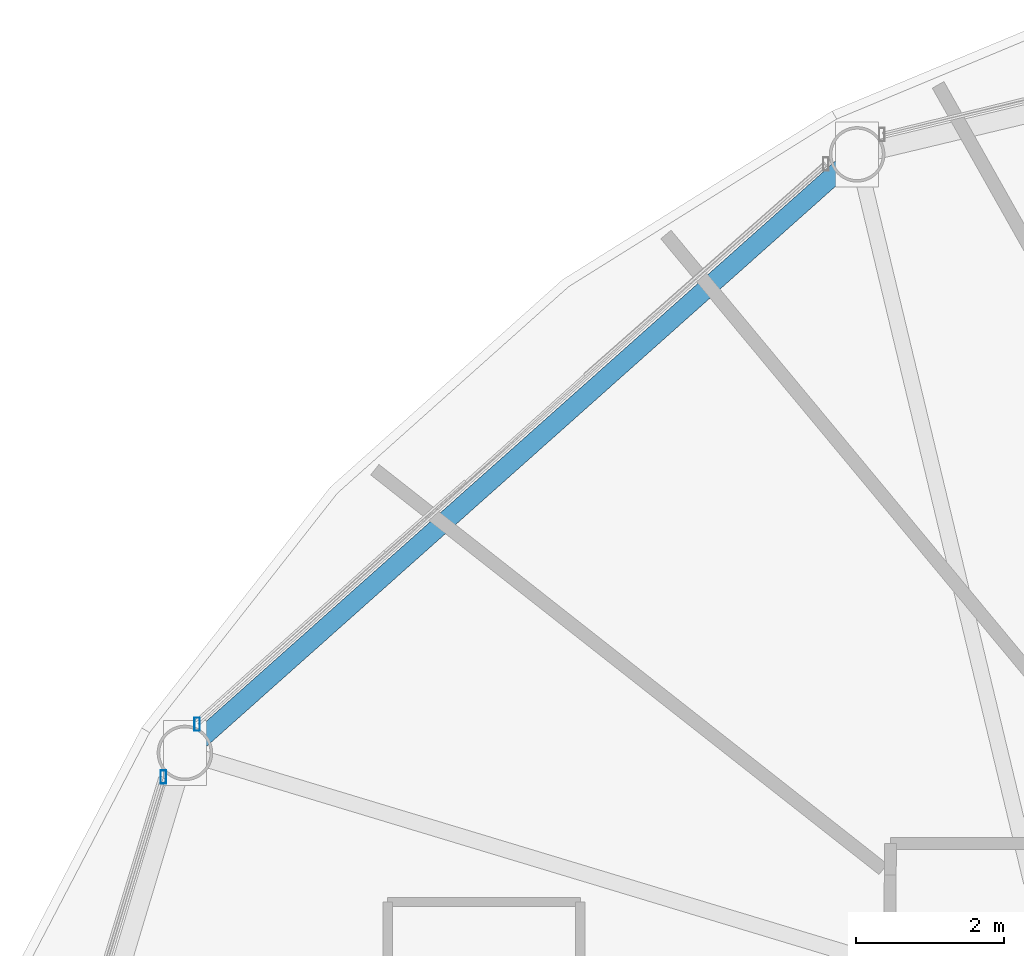
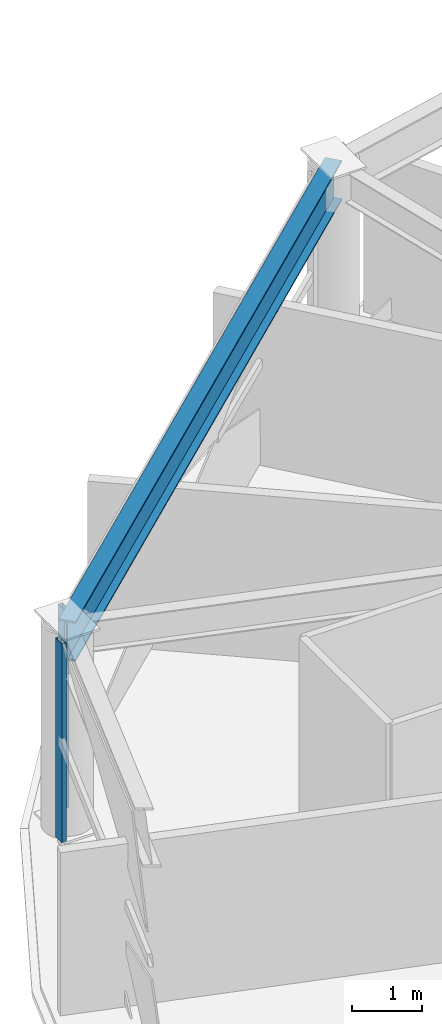
# One storey, part 14 of 30: 2 members, 1 beam, 2 elements without a shape of their own.
"""IFC4 building model written with IfcOpenShell, lengths in metres."""

import ifcopenshell
import ifcopenshell.guid

model = None  # the IFC model being written
_history = None  # IfcOwnerHistory: only IFC2X3 demands one
_inside = {}  # id of a spatial element -> (the spatial element, [elements in it])
_under = {}  # id of a project, library or spatial element -> (it, [spatial elements below it])
_declared = {}  # id of a project -> (the project, [libraries it declares])
_typed = {}  # id of a type object -> (the type object, [elements of that type])
_made_of = {}  # id of a material, layer set ... -> (it, [elements and type objects made of it])


def new_model(schema):
    """Start an empty IFC model of exactly this schema.

    Asked for "IFC4X3", IfcOpenShell would pick the latest addendum, in which some entities
    have other attributes; the version numbers below select the first issue.
    IFC2X3 requires an IfcOwnerHistory on every rooted entity: one is made here for all.
    """
    global model, _history
    if schema == "IFC4X3":
        model = ifcopenshell.file(schema_version=(4, 3, 0, 0))
    else:
        model = ifcopenshell.file(schema=schema)
    _inside.clear()
    _under.clear()
    _declared.clear()
    _typed.clear()
    _made_of.clear()
    _history = None
    if model.schema == "IFC2X3":
        org = make("IfcOrganization", Name="unknown")
        user = make(
            "IfcPersonAndOrganization",
            ThePerson=make("IfcPerson", FamilyName="unknown"),
            TheOrganization=org,
        )
        app = make(
            "IfcApplication",
            ApplicationDeveloper=org,
            Version="unknown",
            ApplicationFullName="unknown",
            ApplicationIdentifier="unknown",
        )
        _history = make(
            "IfcOwnerHistory",
            OwningUser=user,
            OwningApplication=app,
            ChangeAction="ADDED",
            CreationDate=0,
        )
    return model


def make(cls, **values):
    """One entity of the class cls with the attributes given. An attribute that is None is left unset."""
    return model.create_entity(
        cls, **{name: value for name, value in values.items() if value is not None}
    )


def rooted(cls, **values):
    """An entity with a GlobalId (a new one), such as an element, a storey or a relation."""
    return make(cls, GlobalId=ifcopenshell.guid.new(), OwnerHistory=_history, **values)


def si_unit(unit_type, name, prefix=None):
    """IfcSIUnit, for example si_unit("LENGTHUNIT", "METRE", prefix="MILLI")."""
    return make("IfcSIUnit", UnitType=unit_type, Prefix=prefix, Name=name)


def assignment(units):
    """IfcUnitAssignment: the units of a project."""
    return None if units is None else make("IfcUnitAssignment", Units=units)


def point(xyz):
    """IfcCartesianPoint."""
    return None if xyz is None else make("IfcCartesianPoint", Coordinates=xyz)


def direction(xyz):
    """IfcDirection."""
    return None if xyz is None else make("IfcDirection", DirectionRatios=xyz)


def frame(location, z_axis=None, x_axis=None):
    """IfcAxis2Placement3D, a coordinate frame: its origin and axes. An axis left out is left unset."""
    return make(
        "IfcAxis2Placement3D",
        Location=point(location),
        Axis=direction(z_axis),
        RefDirection=direction(x_axis),
    )


def frame_2d(location, x_axis=None):
    """IfcAxis2Placement2D, a coordinate frame in the plane: its origin and x axis."""
    return make(
        "IfcAxis2Placement2D", Location=point(location), RefDirection=direction(x_axis)
    )


def origin():
    """The frame at (0, 0, 0) with its axes left unset."""
    return frame((0.0, 0.0, 0.0))


def origin_2d():
    """The frame at (0, 0) in the plane with its x axis left unset."""
    return frame_2d((0.0, 0.0))


def place(relative_to, where):
    """IfcLocalPlacement: puts the frame where relative to a parent placement (None: the world)."""
    return make(
        "IfcLocalPlacement", PlacementRelTo=relative_to, RelativePlacement=where
    )


def context(
    kind, dimensions, precision=None, world=None, true_north=None, identifier=None
):
    """IfcGeometricRepresentationContext, for example the 3D "Model" context."""
    return make(
        "IfcGeometricRepresentationContext",
        ContextIdentifier=identifier,
        ContextType=kind,
        CoordinateSpaceDimension=dimensions,
        Precision=precision,
        WorldCoordinateSystem=world,
        TrueNorth=true_north,
    )


def subcontext(parent, identifier, kind, view, scale=None):
    """IfcGeometricRepresentationSubContext, for example "Body" below "Model"."""
    return make(
        "IfcGeometricRepresentationSubContext",
        ContextIdentifier=identifier,
        ContextType=kind,
        ParentContext=parent,
        TargetScale=scale,
        TargetView=view,
    )


def project(units=None, contexts=None):
    """IfcProject with its units and contexts."""
    return rooted(
        "IfcProject",
        Name="project",
        RepresentationContexts=contexts,
        UnitsInContext=assignment(units),
    )


def spatial(cls, under=None, at=None, **own):
    """A site, building, storey or space (cls), placed at a placement, below another one or the project."""
    s = rooted(cls, ObjectPlacement=at, **own)
    if under is not None:
        _under.setdefault(under.id(), (under, []))[1].append(s)
    return s


def profile(cls, at=None, kind="AREA", **sizes):
    """A parametric profile (cls). Its sizes go by their IFC names, for example OverallWidth=200.0."""
    return make(cls, ProfileType=kind, Position=at, **sizes)


def hollow_rectangle(**sizes):
    """IfcRectangleHollowProfileDef."""
    return profile("IfcRectangleHollowProfileDef", **sizes)


def i_section(**sizes):
    """IfcIShapeProfileDef."""
    return profile("IfcIShapeProfileDef", **sizes)


def extrude(swept, where, along, depth):
    """IfcExtrudedAreaSolid: the profile swept, set in the frame where, extruded along a direction by depth."""
    return make(
        "IfcExtrudedAreaSolid",
        SweptArea=swept,
        Position=where,
        ExtrudedDirection=direction(along),
        Depth=depth,
    )


def shape(context_of_items, identifier, shape_type, items):
    """IfcShapeRepresentation: the items that make up one representation, for example the "Body"."""
    return make(
        "IfcShapeRepresentation",
        ContextOfItems=context_of_items,
        RepresentationIdentifier=identifier,
        RepresentationType=shape_type,
        Items=items,
    )


def material(Name=None, Category=None):
    """IfcMaterial."""
    return make("IfcMaterial", Name=Name, Category=Category)


def layer(
    of_material, thickness, ventilated=None, Name=None, Category=None, Priority=None
):
    """IfcMaterialLayer: one layer of a wall or slab, of a material (None: an air gap)."""
    return make(
        "IfcMaterialLayer",
        Material=of_material,
        LayerThickness=thickness,
        IsVentilated=ventilated,
        Name=Name,
        Category=Category,
        Priority=Priority,
    )


def layer_set(layers, Name=None):
    """IfcMaterialLayerSet."""
    return make("IfcMaterialLayerSet", MaterialLayers=layers, LayerSetName=Name)


def material_profile(
    of_material, cross_section, Name=None, Category=None, Priority=None
):
    """IfcMaterialProfile: a cross section and its material."""
    return make(
        "IfcMaterialProfile",
        Name=Name,
        Material=of_material,
        Profile=cross_section,
        Priority=Priority,
        Category=Category,
    )


def profile_set(profiles, Name=None, composite=None):
    """IfcMaterialProfileSet."""
    return make(
        "IfcMaterialProfileSet",
        Name=Name,
        MaterialProfiles=profiles,
        CompositeProfile=composite,
    )


def made_of(thing, what):
    """Note that an element or type object is made of a material, layer set ...; save() writes the relation."""
    if what is not None:
        _made_of.setdefault(what.id(), (what, []))[1].append(thing)
    return thing


def type_object(cls, material=None, **own):
    """A type object (cls), such as IfcWallType, which elements share."""
    return made_of(rooted(cls, **own), material)


def element(
    cls,
    number,
    at=None,
    inside=None,
    cuts=None,
    type_object=None,
    material=None,
    context=None,
    identifier="Body",
    shape_type=None,
    held_by="IfcProductDefinitionShape",
    body=None,
    shapes=None,
    **own,
):
    """One element of the class cls, such as IfcWall. Its Tag is "e" and its number.

    at: its placement. inside: the storey or other place that contains it. cuts: it is an
    opening in that element (IfcRelVoidsElement). A single representation is given by context,
    identifier, shape_type and body (its items); several are given by shapes. held_by: the class
    of the entity that holds the representations. save() writes the other relations.
    """
    e = rooted(cls, Tag="e%d" % number, ObjectPlacement=at, **own)
    if body is not None:
        shapes = [shape(context, identifier, shape_type, body)]
    if shapes is not None:
        e.Representation = make(held_by, Representations=shapes)
    if inside is not None:
        _inside.setdefault(inside.id(), (inside, []))[1].append(e)
    if cuts is not None:
        rooted(
            "IfcRelVoidsElement", RelatingBuildingElement=cuts, RelatedOpeningElement=e
        )
    if type_object is not None:
        _typed.setdefault(type_object.id(), (type_object, []))[1].append(e)
    return made_of(e, material)


def aggregate(whole, parts):
    """IfcRelAggregates: a whole, such as a stair, and the parts it consists of."""
    return rooted("IfcRelAggregates", RelatingObject=whole, RelatedObjects=parts)


def save(model, path):
    """Write the relations noted so far, then the file.

    IfcRelAggregates (storeys below a building ...), IfcRelContainedInSpatialStructure (elements
    in a storey), IfcRelDefinesByType, IfcRelAssociatesMaterial and IfcRelDeclares: one each for
    every whole, place, type object, material and project.
    """
    for whole, parts in _under.values():
        aggregate(whole, parts)
    for where, things in _inside.values():
        rooted(
            "IfcRelContainedInSpatialStructure",
            RelatedElements=things,
            RelatingStructure=where,
        )
    for kind, things in _typed.values():
        rooted("IfcRelDefinesByType", RelatedObjects=things, RelatingType=kind)
    for what, things in _made_of.values():
        rooted("IfcRelAssociatesMaterial", RelatedObjects=things, RelatingMaterial=what)
    for by, libraries in _declared.values():
        rooted("IfcRelDeclares", RelatingContext=by, RelatedDefinitions=libraries)
    model.write(path)


model = new_model("IFC4")

# Units and contexts
model_context = context("Model", 3, precision=1e-05, world=origin(), true_north=direction((0.0, 1.0)))
body_context = subcontext(model_context, "Body", "Model", "MODEL_VIEW")
ifc_project = project(units=[si_unit("LENGTHUNIT", "METRE"), si_unit("AREAUNIT", "SQUARE_METRE"), si_unit("VOLUMEUNIT", "CUBIC_METRE"), si_unit("PLANEANGLEUNIT", "RADIAN"), si_unit("MASSUNIT", "GRAM", prefix="KILO")], contexts=[model_context])

# Site, building, storey
site_placement = place(None, origin())
site = spatial("IfcSite", under=ifc_project, at=site_placement, CompositionType="ELEMENT")
building_placement = place(site_placement, origin())
building = spatial("IfcBuilding", under=site, at=building_placement, Name="Vantalir Tower", CompositionType="ELEMENT")
storey_placement = place(building_placement, frame((0.0, 0.0, 153.449951171875)))
storey = spatial("IfcBuildingStorey", under=building, at=storey_placement, Name="L38", CompositionType="ELEMENT", Elevation=153.449951171875)

# Beam
ifc_material_1 = material(Name="Steel S460", Category="steel")
ifc_material_profile_1 = material_profile(ifc_material_1, i_section(OverallWidth=0.256103515625, OverallDepth=0.693115234375, WebThickness=0.014404296875, FlangeThickness=0.023681640625, at=origin_2d()), Name="Steel S460")
ifc_profile_set_1 = profile_set([ifc_material_profile_1], Name="Steel S460")
beam_type = type_object("IfcBeamType", Name="BM-RG-686x254", PredefinedType="USERDEFINED", material=ifc_profile_set_1)
beam_placement = place(storey_placement, frame((19.10888671875, 44.112060546875, 3.22412109375), z_axis=(-0.746823535623, -0.665022260259, 0.0), x_axis=(0.665022260259, -0.746823535623, 0.0)))
element("IfcBeam", 1, at=beam_placement, inside=storey, type_object=beam_type, Name="L38 Circumferential Ring Girder 05", ObjectType="GIRDER", PredefinedType="USERDEFINED", context=body_context, shape_type="SweptSolid", body=[
    extrude(i_section(OverallWidth=0.256103515625, OverallDepth=0.693115234375, WebThickness=0.014404296875, FlangeThickness=0.023681640625, at=origin_2d()), origin(), (0.0, 0.0, 1.0), 12.147216796875),
])

# Curtain wall, member
ifc_material_2 = material(Name="Champagne-silver PVDF aluminium and double-silver Low-E glass", Category="aluminium")
ifc_layer = layer(ifc_material_2, 0.199951171875)
ifc_layer_set = layer_set([ifc_layer], Name="Champagne-silver PVDF aluminium and double-silver Low-E glass")
curtain_wall_type = type_object("IfcCurtainWallType", Name="CW-DIAMOND-Z2", PredefinedType="USERDEFINED", material=ifc_layer_set)
curtain_wall_1_placement = place(storey_placement, origin())
curtain_wall_1 = element("IfcCurtainWall", 2, at=curtain_wall_1_placement, inside=storey, type_object=curtain_wall_type, Name="L38 Quilted Pyramid-Diamond Curtain Wall S05", ObjectType="UNITISED CURTAIN WALL", PredefinedType="USERDEFINED")
ifc_material_3 = material(Name="Champagne-silver PVDF aluminium 6063-T6", Category="aluminium")
ifc_material_profile_2 = material_profile(ifc_material_3, hollow_rectangle(XDim=0.074951171875, YDim=0.179931640625, WallThickness=0.00390625, at=origin_2d()), Name="Champagne-silver PVDF aluminium 6063-T6")
ifc_profile_set_2 = profile_set([ifc_material_profile_2], Name="Champagne-silver PVDF aluminium 6063-T6")
member_type = type_object("IfcMemberType", Name="CWM-180x75", PredefinedType="MULLION", material=ifc_profile_set_2)
member_1_placement = place(storey_placement, frame((10.200927734375, 36.422119140625, 0.045166015625), z_axis=(0.0, 0.0, 1.0), x_axis=(1.0, 0.0, 0.0)))
member_1 = element("IfcMember", 3, at=member_1_placement, type_object=member_type, Name="CW-L38-S05 Mullion 2", PredefinedType="MULLION", context=body_context, shape_type="SweptSolid", body=[
    extrude(hollow_rectangle(XDim=0.074951171875, YDim=0.179931640625, WallThickness=0.00390625, at=origin_2d()), origin(), (0.0, 0.0, 1.0), 3.47998046875),
])
aggregate(curtain_wall_1, [member_1])

curtain_wall_2_placement = place(storey_placement, origin())
curtain_wall_2 = element("IfcCurtainWall", 4, at=curtain_wall_2_placement, inside=storey, type_object=curtain_wall_type, Name="L38 Quilted Pyramid-Diamond Curtain Wall S06", ObjectType="UNITISED CURTAIN WALL", PredefinedType="USERDEFINED")
member_2_placement = place(storey_placement, frame((9.74609375, 35.7080078125, 0.045166015625), z_axis=(0.0, 0.0, 1.0), x_axis=(1.0, 0.0, 0.0)))
member_2 = element("IfcMember", 5, at=member_2_placement, type_object=member_type, Name="CW-L38-S06 Mullion 1", PredefinedType="MULLION", context=body_context, shape_type="SweptSolid", body=[
    extrude(hollow_rectangle(XDim=0.074951171875, YDim=0.179931640625, WallThickness=0.00390625, at=origin_2d()), origin(), (0.0, 0.0, 1.0), 3.47998046875),
])
aggregate(curtain_wall_2, [member_2])

save(model, "model.ifc")
